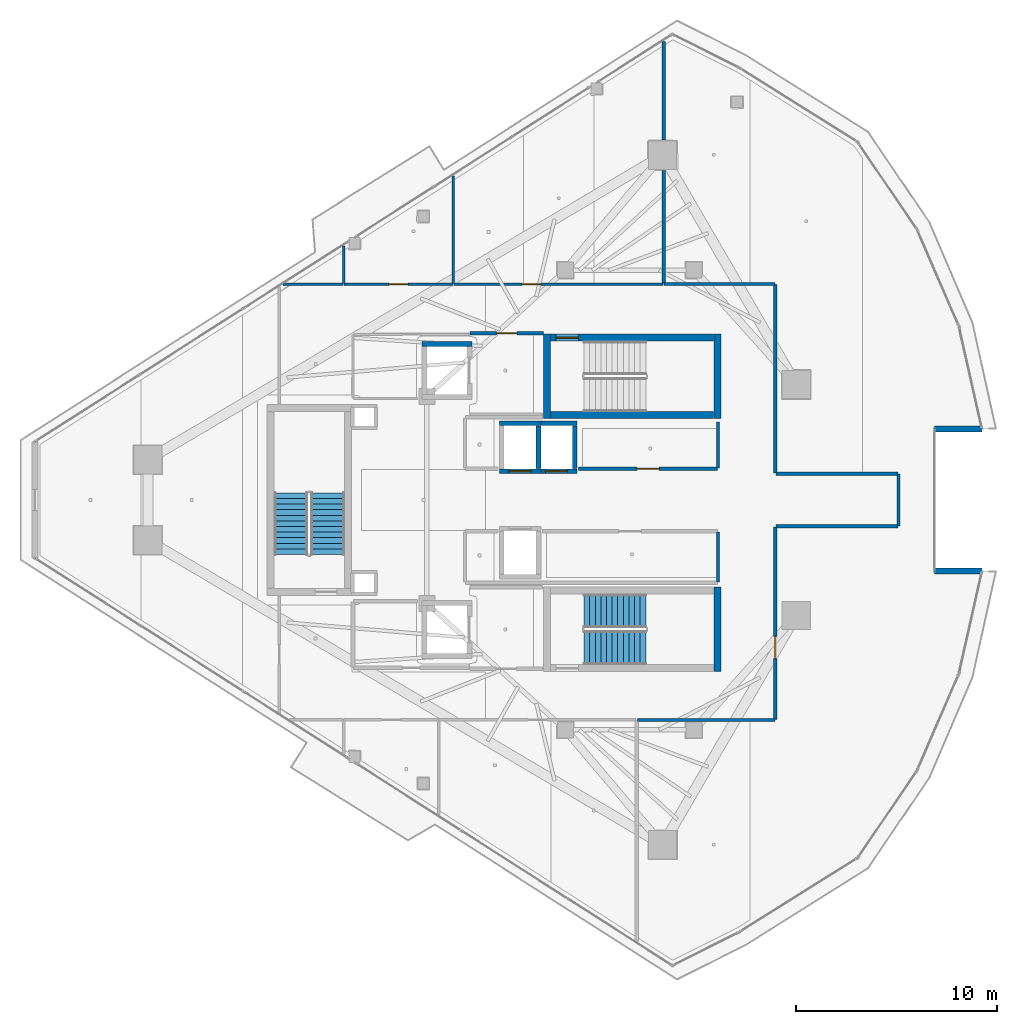
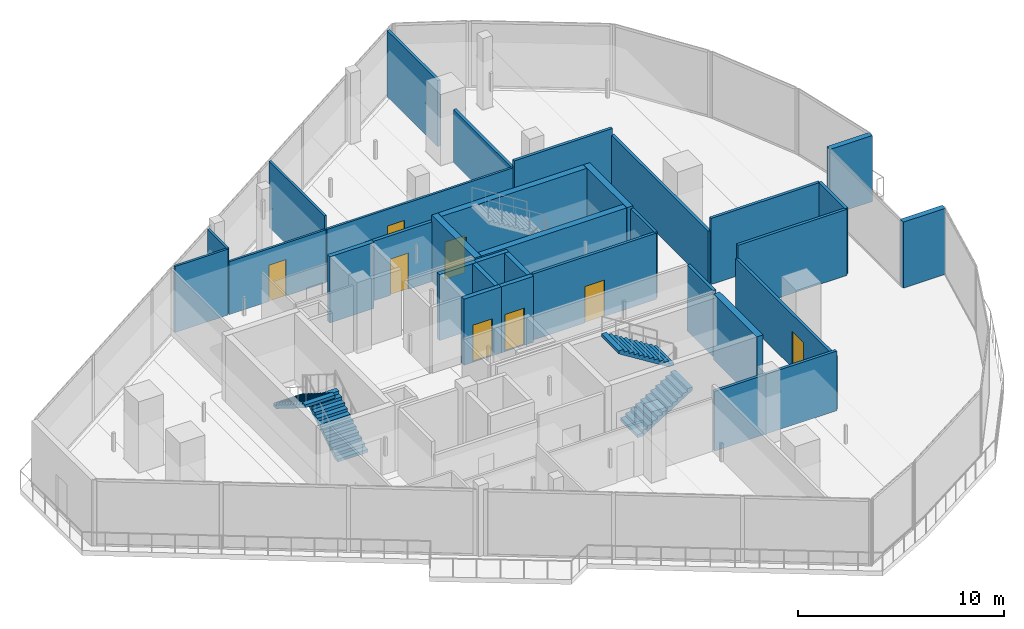
# One storey, part 21 of 27: 32 walls, 8 doors, 4 stair flights, 8 openings, 2 elements without a shape of their own.
"""IFC4 building model written with IfcOpenShell, lengths in metres."""

from ifc_helpers import new_model, si_unit, direction, frame, frame_2d, origin, place, context, subcontext, project, spatial, polyline, rectangle, outline, extrude, material, layer, layer_set, type_object, element, fill, aggregate, save


model = new_model("IFC4")

# Units and contexts
model_context = context("Model", 3, precision=1e-05, world=origin(), true_north=direction((0.0, 1.0)))
body_context = subcontext(model_context, "Body", "Model", "MODEL_VIEW")
ifc_project = project(units=[si_unit("LENGTHUNIT", "METRE"), si_unit("AREAUNIT", "SQUARE_METRE"), si_unit("VOLUMEUNIT", "CUBIC_METRE"), si_unit("PLANEANGLEUNIT", "RADIAN"), si_unit("MASSUNIT", "GRAM", prefix="KILO")], contexts=[model_context])

# Site, building, storey
site_placement = place(None, origin())
site = spatial("IfcSite", under=ifc_project, at=site_placement, CompositionType="ELEMENT")
building_placement = place(site_placement, origin())
building = spatial("IfcBuilding", under=site, at=building_placement, Name="Qorvath Tower", CompositionType="ELEMENT")
storey_placement = place(building_placement, frame((0.0, 0.0, 293.39990234375)))
storey = spatial("IfcBuildingStorey", under=building, at=storey_placement, Name="L68", CompositionType="ELEMENT", Elevation=293.39990234375)

# Wall, opening, door
ifc_material_1 = material(Name="Gypsum shaftliner on steel studs", Category="steel")
ifc_layer_1 = layer(ifc_material_1, 0.179931640625)
ifc_layer_set_1 = layer_set([ifc_layer_1], Name="FW-LOBBY")
wall_type_1 = type_object("IfcWallType", Name="FW-LOBBY", PredefinedType="PARTITIONING", material=ifc_layer_set_1)
wall_1_placement = place(storey_placement, frame((-24.68408203125, 8.300048828125, 0.0), z_axis=(0.0, 0.0, 1.0), x_axis=(-1.0, 0.0, 0.0)))
wall_1 = element("IfcWall", 1, at=wall_1_placement, inside=storey, type_object=wall_type_1, Name="Interior Partition IW-T1-L68-002", PredefinedType="PARTITIONING", context=body_context, shape_type="SweptSolid", body=[
    extrude(rectangle(XDim=3.6708984375, YDim=0.179931640625, at=frame_2d((1.83544921875, 0.0))), origin(), (0.0, 0.0, 1.0), 3.529052734375),
])
opening_1_placement = place(wall_1_placement, frame((1.33544921875, 0.0, 0.0)))
opening_1 = element("IfcOpeningElement", 2, at=opening_1_placement, cuts=wall_1, Name="Opening D-T1-L68-01", PredefinedType="OPENING", context=body_context, shape_type="SweptSolid", body=[
    extrude(rectangle(XDim=1.0, YDim=2.14990234375, at=frame_2d((0.5, 1.074951171875))), frame((0.0, 0.10009765625, 0.0), z_axis=(0.0, -1.0, 0.0), x_axis=(1.0, 0.0, 0.0)), (0.0, 0.0, 1.0), 0.199951171875),
])
ifc_material_2 = material(Name="Painted galvanised hollow metal", Category="steel")
door_type_1 = type_object("IfcDoorType", Name="FD-60", OperationType="NOTDEFINED", PredefinedType="DOOR", material=ifc_material_2)
door_1_placement = place(opening_1_placement, origin())
door_1 = element("IfcDoor", 3, at=door_1_placement, inside=storey, type_object=door_type_1, Name="Lobby Fire Service Elevator North Door D-T1-L68-01", OperationType="SINGLE_SWING_RIGHT", OverallHeight=2.14990234375, OverallWidth=1.0, PredefinedType="DOOR", context=body_context, shape_type="SweptSolid", body=[
    extrude(rectangle(XDim=1.0, YDim=2.14990234375, at=frame_2d((0.5, 1.074951171875))), frame((0.0, 0.02490234375, 0.0), z_axis=(0.0, -1.0, 0.0), x_axis=(1.0, 0.0, 0.0)), (0.0, 0.0, 1.0), 0.050048828125),
])
fill(opening_1, door_1)

ifc_material_3 = material(Name="Double acoustic gypsum board on steel studs", Category="steel")
ifc_layer_2 = layer(ifc_material_3, 0.159912109375)
ifc_layer_set_2 = layer_set([ifc_layer_2], Name="IW-ACOUSTIC-160")
wall_type_2 = type_object("IfcWallType", Name="IW-ACOUSTIC-160", PredefinedType="PARTITIONING", material=ifc_layer_set_2)
wall_2_placement = place(storey_placement, frame((-22.933837890625, 1.56005859375, 0.0), z_axis=(0.0, 0.0, 1.0), x_axis=(1.0, 0.0, 0.0)))
wall_2 = element("IfcWall", 4, at=wall_2_placement, inside=storey, type_object=wall_type_2, Name="Interior Partition IW-T1-L68-010", PredefinedType="PARTITIONING", context=body_context, shape_type="SweptSolid", body=[
    extrude(rectangle(XDim=6.908935546875, YDim=0.159912109375, at=frame_2d((3.45458984375, 0.0))), origin(), (0.0, 0.0, 1.0), 3.91015625),
])
opening_2_placement = place(wall_2_placement, frame((2.904541015625, 0.0, 0.0)))
opening_2 = element("IfcOpeningElement", 5, at=opening_2_placement, cuts=wall_2, Name="Opening D-T1-L68-04", PredefinedType="OPENING", context=body_context, shape_type="SweptSolid", body=[
    extrude(rectangle(XDim=1.10009765625, YDim=2.14990234375, at=frame_2d((0.550048828125, 1.074951171875))), frame((0.0, 0.08984375, 0.0), z_axis=(0.0, -1.0, 0.0), x_axis=(1.0, 0.0, 0.0)), (0.0, 0.0, 1.0), 0.179931640625),
])
ifc_material_4 = material(Name="Anodised aluminium acoustic framed glass", Category="aluminium")
door_type_2 = type_object("IfcDoorType", Name="D-03", OperationType="NOTDEFINED", PredefinedType="DOOR", material=ifc_material_4)
door_2_placement = place(opening_2_placement, origin())
door_2 = element("IfcDoor", 6, at=door_2_placement, inside=storey, type_object=door_type_2, Name="L68-RCN North Executive Boardroom Door D-T1-L68-04", OperationType="SINGLE_SWING_LEFT", OverallHeight=2.14990234375, OverallWidth=1.10009765625, PredefinedType="DOOR", context=body_context, shape_type="SweptSolid", body=[
    extrude(rectangle(XDim=1.10009765625, YDim=2.14990234375, at=frame_2d((0.550048828125, 1.074951171875))), frame((0.0, 0.02490234375, 0.0), z_axis=(0.0, -1.0, 0.0), x_axis=(1.0, 0.0, 0.0)), (0.0, 0.0, 1.0), 0.050048828125),
])
fill(opening_2, door_2)

# Walls
wall_3_placement = place(storey_placement, frame((-16.0, 1.585205078125, 0.0), z_axis=(0.0, 0.0, 1.0), x_axis=(0.0, 1.0, 0.0)))
element("IfcWall", 7, at=wall_3_placement, inside=storey, type_object=wall_type_2, Name="Interior Partition IW-T1-L68-011", PredefinedType="PARTITIONING", context=body_context, shape_type="SweptSolid", body=[
    extrude(rectangle(XDim=2.30224609375, YDim=0.159912109375, at=frame_2d((1.151123046875, 0.0))), origin(), (0.0, 0.0, 1.0), 3.91015625),
])
wall_4_placement = place(storey_placement, frame((-16.0, -4.09521484375, 0.0), z_axis=(0.0, 0.0, 1.0), x_axis=(0.0, 1.0, 0.0)))
element("IfcWall", 8, at=wall_4_placement, inside=storey, type_object=wall_type_2, Name="Interior Partition IW-T1-L68-015", PredefinedType="PARTITIONING", context=body_context, shape_type="SweptSolid", body=[
    extrude(rectangle(XDim=2.510009765625, YDim=0.159912109375, at=frame_2d((1.2548828125, 0.0))), origin(), (0.0, 0.0, 1.0), 3.91015625),
])
wall_5_placement = place(storey_placement, frame((-18.69873046875, 22.844970703125, 0.0), z_axis=(0.0, 0.0, 1.0), x_axis=(4.9780964e-05, -0.999999998761, 0.0)))
element("IfcWall", 9, at=wall_5_placement, inside=storey, type_object=wall_type_2, Name="Interior Partition IW-T1-L68-027", PredefinedType="PARTITIONING", context=body_context, shape_type="SweptSolid", body=[
    extrude(rectangle(XDim=4.904296875, YDim=0.159912109375, at=frame_2d((2.4521484375, 0.0))), origin(), (0.0, 0.0, 1.0), 3.91015625),
])
wall_6_placement = place(storey_placement, frame((-18.698486328125, 16.41064453125, 0.0), z_axis=(0.0, 0.0, 1.0), x_axis=(-4.3383948e-05, -0.999999999059, 0.0)))
element("IfcWall", 10, at=wall_6_placement, inside=storey, type_object=wall_type_2, Name="Interior Partition IW-T1-L68-028", PredefinedType="PARTITIONING", context=body_context, shape_type="SweptSolid", body=[
    extrude(rectangle(XDim=5.62744140625, YDim=0.159912109375, at=frame_2d((2.813720703125, 0.0))), origin(), (0.0, 0.0, 1.0), 3.130126953125),
])
wall_7_placement = place(storey_placement, frame((-13.1669921875, 10.758056640625, 0.0), z_axis=(0.0, 0.0, 1.0), x_axis=(-1.0, 0.0, 0.0)))
element("IfcWall", 11, at=wall_7_placement, inside=storey, type_object=wall_type_2, Name="Interior Partition IW-T1-L68-029", PredefinedType="PARTITIONING", context=body_context, shape_type="SweptSolid", body=[
    extrude(rectangle(XDim=5.506591796875, YDim=0.159912109375, at=frame_2d((2.75341796875, 0.0))), origin(), (0.0, 0.0, 1.0), 3.529052734375),
])
wall_8_placement = place(storey_placement, frame((-13.14208984375, 10.733154296875, 0.0), z_axis=(0.0, 0.0, 1.0), x_axis=(0.0, -1.0, 0.0)))
element("IfcWall", 12, at=wall_8_placement, inside=storey, type_object=wall_type_2, Name="Interior Partition IW-T1-L68-030", PredefinedType="PARTITIONING", context=body_context, shape_type="SweptSolid", body=[
    extrude(rectangle(XDim=9.400146484375, YDim=0.159912109375, at=frame_2d((4.7001953125, 0.0))), origin(), (0.0, 0.0, 1.0), 3.130126953125),
])
wall_9_placement = place(storey_placement, frame((-7.023193359375, 1.30810546875, 0.0), z_axis=(0.0, 0.0, 1.0), x_axis=(-1.0, 0.0, 0.0)))
element("IfcWall", 13, at=wall_9_placement, inside=storey, type_object=wall_type_2, Name="Interior Partition IW-T1-L68-031", PredefinedType="PARTITIONING", context=body_context, shape_type="SweptSolid", body=[
    extrude(rectangle(XDim=6.093994140625, YDim=0.159912109375, at=frame_2d((3.046875, 0.0))), origin(), (0.0, 0.0, 1.0), 3.91015625),
])
wall_10_placement = place(storey_placement, frame((-6.998291015625, -1.283203125, 0.0), z_axis=(0.0, 0.0, 1.0), x_axis=(0.0, 1.0, 0.0)))
element("IfcWall", 14, at=wall_10_placement, inside=storey, type_object=wall_type_2, Name="Interior Partition IW-T1-L68-032", PredefinedType="PARTITIONING", context=body_context, shape_type="SweptSolid", body=[
    extrude(rectangle(XDim=2.56640625, YDim=0.159912109375, at=frame_2d((1.283203125, 0.0))), origin(), (0.0, 0.0, 1.0), 3.91015625),
])
wall_11_placement = place(storey_placement, frame((-13.1171875, -1.30810546875, 0.0), z_axis=(0.0, 0.0, 1.0), x_axis=(1.0, 0.0, 0.0)))
element("IfcWall", 15, at=wall_11_placement, inside=storey, type_object=wall_type_2, Name="Interior Partition IW-T1-L68-033", PredefinedType="PARTITIONING", context=body_context, shape_type="SweptSolid", body=[
    extrude(rectangle(XDim=6.093994140625, YDim=0.159912109375, at=frame_2d((3.046875, 0.0))), origin(), (0.0, 0.0, 1.0), 3.91015625),
])

# Wall, opening, door
wall_12_placement = place(storey_placement, frame((-13.14208984375, -1.3330078125, 0.0), z_axis=(0.0, 0.0, 1.0), x_axis=(0.0, -1.0, 0.0)))
wall_12 = element("IfcWall", 16, at=wall_12_placement, inside=storey, type_object=wall_type_2, Name="Interior Partition IW-T1-L68-034", PredefinedType="PARTITIONING", context=body_context, shape_type="SweptSolid", body=[
    extrude(rectangle(XDim=9.60009765625, YDim=0.159912109375, at=frame_2d((4.800048828125, 0.0))), origin(), (0.0, 0.0, 1.0), 3.130126953125),
])
opening_3_placement = place(wall_12_placement, frame((5.46435546875, 0.0, 0.0)))
opening_3 = element("IfcOpeningElement", 17, at=opening_3_placement, cuts=wall_12, Name="Opening D-T1-L68-08", PredefinedType="OPENING", context=body_context, shape_type="SweptSolid", body=[
    extrude(rectangle(XDim=1.10009765625, YDim=2.14990234375, at=frame_2d((0.550048828125, 1.074951171875))), frame((0.0, 0.08984375, 0.0), z_axis=(0.0, -1.0, 0.0), x_axis=(1.0, 0.0, 0.0)), (0.0, 0.0, 1.0), 0.179931640625),
])
door_3_placement = place(opening_3_placement, origin())
door_3 = element("IfcDoor", 18, at=door_3_placement, inside=storey, type_object=door_type_2, Name="L68-02 Enclosed Conference Suite Door D-T1-L68-08", OperationType="SINGLE_SWING_LEFT", OverallHeight=2.14990234375, OverallWidth=1.10009765625, PredefinedType="DOOR", context=body_context, shape_type="SweptSolid", body=[
    extrude(rectangle(XDim=1.10009765625, YDim=2.14990234375, at=frame_2d((0.550048828125, 1.074951171875))), frame((0.0, 0.02490234375, 0.0), z_axis=(0.0, -1.0, 0.0), x_axis=(1.0, 0.0, 0.0)), (0.0, 0.0, 1.0), 0.050048828125),
])
fill(opening_3, door_3)

# Walls
wall_13_placement = place(storey_placement, frame((-20.014892578125, -10.9580078125, 0.0), z_axis=(0.0, 0.0, 1.0), x_axis=(1.0, 0.0, 0.0)))
element("IfcWall", 19, at=wall_13_placement, inside=storey, type_object=wall_type_2, Name="Interior Partition IW-T1-L68-035", PredefinedType="PARTITIONING", context=body_context, shape_type="SweptSolid", body=[
    extrude(rectangle(XDim=6.847900390625, YDim=0.159912109375, at=frame_2d((3.423828125, 0.0))), origin(), (0.0, 0.0, 1.0), 3.529052734375),
])
ifc_material_5 = material(Name="Gypsum board on metal studs with mineral wool", Category="gypsum")
ifc_layer_3 = layer(ifc_material_5, 0.125)
ifc_layer_set_3 = layer_set([ifc_layer_3], Name="IW-PART-125")
wall_type_3 = type_object("IfcWallType", Name="IW-PART-125", PredefinedType="PARTITIONING", material=ifc_layer_set_3)
wall_14_placement = place(storey_placement, frame((-34.6748046875, 10.758056640625, 0.0), z_axis=(0.0, 0.0, 1.0), x_axis=(-1.0, 0.0, 0.0)))
element("IfcWall", 20, at=wall_14_placement, inside=storey, type_object=wall_type_3, Name="Interior Partition IW-T1-L68-025", PredefinedType="PARTITIONING", context=body_context, shape_type="SweptSolid", body=[
    extrude(rectangle(XDim=2.98046875, YDim=0.125, at=frame_2d((1.490234375, 0.0))), origin(), (0.0, 0.0, 1.0), 3.91015625),
])
wall_15_placement = place(storey_placement, frame((-34.64990234375, 10.783203125, 0.0), z_axis=(0.0, 0.0, 1.0), x_axis=(0.0, 1.0, 0.0)))
element("IfcWall", 21, at=wall_15_placement, inside=storey, type_object=wall_type_3, Name="Interior Partition IW-T1-L68-026", PredefinedType="PARTITIONING", context=body_context, shape_type="SweptSolid", body=[
    extrude(rectangle(XDim=1.866943359375, YDim=0.125, at=frame_2d((0.93359375, 0.0))), origin(), (0.0, 0.0, 1.0), 3.91015625),
])

# Wall, opening, door
wall_16_placement = place(storey_placement, frame((-34.6171875, 10.758056640625, 0.0), z_axis=(0.0, 0.0, 1.0), x_axis=(1.0, 0.0, 0.0)))
wall_16 = element("IfcWall", 22, at=wall_16_placement, inside=storey, type_object=wall_type_3, Name="Interior Partition IW-T1-L68-037", PredefinedType="PARTITIONING", context=body_context, shape_type="SweptSolid", body=[
    extrude(rectangle(XDim=5.408935546875, YDim=0.125, at=frame_2d((2.70458984375, 0.0))), origin(), (0.0, 0.0, 1.0), 3.130126953125),
])
opening_4_placement = place(wall_16_placement, frame((2.2294921875, 0.0, 0.0)))
opening_4 = element("IfcOpeningElement", 23, at=opening_4_placement, cuts=wall_16, Name="Opening D-T1-L68-09", PredefinedType="OPENING", context=body_context, shape_type="SweptSolid", body=[
    extrude(rectangle(XDim=0.949951171875, YDim=2.14990234375, at=frame_2d((0.47509765625, 1.074951171875))), frame((0.0, 0.072509765625, 0.0), z_axis=(0.0, -1.0, 0.0), x_axis=(1.0, 0.0, 0.0)), (0.0, 0.0, 1.0), 0.14501953125),
])
ifc_material_6 = material(Name="Solid-core American white oak veneer", Category="wood")
door_type_3 = type_object("IfcDoorType", Name="D-01", OperationType="NOTDEFINED", PredefinedType="DOOR", material=ifc_material_6)
door_4_placement = place(opening_4_placement, origin())
door_4 = element("IfcDoor", 24, at=door_4_placement, inside=storey, type_object=door_type_3, Name="L68-03 Executive Partner Office Door D-T1-L68-09", OperationType="SINGLE_SWING_RIGHT", OverallHeight=2.14990234375, OverallWidth=0.949951171875, PredefinedType="DOOR", context=body_context, shape_type="SweptSolid", body=[
    extrude(rectangle(XDim=0.949951171875, YDim=2.14990234375, at=frame_2d((0.47509765625, 1.074951171875))), frame((0.0, 0.02490234375, 0.0), z_axis=(0.0, -1.0, 0.0), x_axis=(1.0, 0.0, 0.0)), (0.0, 0.0, 1.0), 0.050048828125),
])
fill(opening_4, door_4)

# Wall
wall_17_placement = place(storey_placement, frame((-29.183349609375, 10.783203125, 0.0), z_axis=(0.0, 0.0, 1.0), x_axis=(0.0, 1.0, 0.0)))
element("IfcWall", 25, at=wall_17_placement, inside=storey, type_object=wall_type_3, Name="Interior Partition IW-T1-L68-038", PredefinedType="PARTITIONING", context=body_context, shape_type="SweptSolid", body=[
    extrude(rectangle(XDim=5.36083984375, YDim=0.125, at=frame_2d((2.680419921875, 0.0))), origin(), (0.0, 0.0, 1.0), 3.91015625),
])

# Wall, opening, door
wall_18_placement = place(storey_placement, frame((-29.150390625, 10.758056640625, 0.0), z_axis=(0.0, 0.0, 1.0), x_axis=(1.0, 0.0, 0.0)))
wall_18 = element("IfcWall", 26, at=wall_18_placement, inside=storey, type_object=wall_type_3, Name="Interior Partition IW-T1-L68-039", PredefinedType="PARTITIONING", context=body_context, shape_type="SweptSolid", body=[
    extrude(rectangle(XDim=10.4189453125, YDim=0.125, at=frame_2d((5.20947265625, 0.0))), origin(), (0.0, 0.0, 1.0), 3.130126953125),
])
opening_5_placement = place(wall_18_placement, frame((3.3818359375, 0.0, 0.0)))
opening_5 = element("IfcOpeningElement", 27, at=opening_5_placement, cuts=wall_18, Name="Opening D-T1-L68-10", PredefinedType="OPENING", context=body_context, shape_type="SweptSolid", body=[
    extrude(rectangle(XDim=0.949951171875, YDim=2.14990234375, at=frame_2d((0.47509765625, 1.074951171875))), frame((0.0, 0.072509765625, 0.0), z_axis=(0.0, -1.0, 0.0), x_axis=(1.0, 0.0, 0.0)), (0.0, 0.0, 1.0), 0.14501953125),
])
door_5_placement = place(opening_5_placement, origin())
door_5 = element("IfcDoor", 28, at=door_5_placement, inside=storey, type_object=door_type_3, Name="L68-04 Executive Partner Office Door D-T1-L68-10", OperationType="SINGLE_SWING_LEFT", OverallHeight=2.14990234375, OverallWidth=0.949951171875, PredefinedType="DOOR", context=body_context, shape_type="SweptSolid", body=[
    extrude(rectangle(XDim=0.949951171875, YDim=2.14990234375, at=frame_2d((0.47509765625, 1.074951171875))), frame((0.0, 0.02490234375, 0.0), z_axis=(0.0, -1.0, 0.0), x_axis=(1.0, 0.0, 0.0)), (0.0, 0.0, 1.0), 0.050048828125),
])
fill(opening_5, door_5)

# Wall
ifc_material_7 = material(Name="Concrete C60/75", Category="concrete")
ifc_layer_4 = layer(ifc_material_7, 0.260009765625)
ifc_layer_set_4 = layer_set([ifc_layer_4], Name="SW-SHAFT")
wall_type_4 = type_object("IfcWallType", Name="SW-SHAFT", PredefinedType="SHEAR", material=ifc_layer_set_4)
wall_19_placement = place(storey_placement, frame((-30.739990234375, 7.77001953125, 0.0), z_axis=(0.0, 0.0, 1.0), x_axis=(1.0, 0.0, 0.0)))
element("IfcWall", 29, at=wall_19_placement, inside=storey, type_object=wall_type_4, Name="Hoistway Wall FSAE-1 L68 N", PredefinedType="SHEAR", context=body_context, shape_type="SweptSolid", body=[
    extrude(rectangle(XDim=2.47998046875, YDim=0.239990234375, at=frame_2d((1.239990234375, 0.0))), origin(), (0.0, 0.0, 1.0), 3.91015625),
])

# Wall, opening, door
wall_20_placement = place(storey_placement, frame((-24.81005859375, 1.429931640625, 0.0), z_axis=(0.0, 0.0, 1.0), x_axis=(-1.0, 0.0, 0.0)))
wall_20 = element("IfcWall", 30, at=wall_20_placement, inside=storey, type_object=wall_type_4, Name="Hoistway Wall PH-1 L68 S", PredefinedType="SHEAR", context=body_context, shape_type="SweptSolid", body=[
    extrude(rectangle(XDim=2.079833984375, YDim=0.239990234375, at=frame_2d((1.0400390625, 0.0))), origin(), (0.0, 0.0, 1.0), 3.91015625),
])
opening_6_placement = place(wall_20_placement, frame((0.489990234375, 0.0, 0.0)))
opening_6 = element("IfcOpeningElement", 31, at=opening_6_placement, cuts=wall_20, Name="Opening LD-PH-1-L68", PredefinedType="OPENING", context=body_context, shape_type="SweptSolid", body=[
    extrude(rectangle(XDim=1.10009765625, YDim=2.199951171875, at=frame_2d((0.550048828125, 1.10009765625))), frame((0.0, 0.1298828125, 0.0), z_axis=(0.0, -1.0, 0.0), x_axis=(1.0, 0.0, 0.0)), (0.0, 0.0, 1.0), 0.260009765625),
])
ifc_material_8 = material(Name="Brushed stainless steel AISI 316", Category="steel")
door_type_4 = type_object("IfcDoorType", Name="LD-01", OperationType="NOTDEFINED", PredefinedType="DOOR", material=ifc_material_8)
door_6_placement = place(opening_6_placement, origin())
door_6 = element("IfcDoor", 32, at=door_6_placement, inside=storey, type_object=door_type_4, Name="Elevator Landing Sliding Door LD-PH-1-L68", OperationType="DOUBLE_DOOR_SLIDING", OverallHeight=2.199951171875, OverallWidth=1.10009765625, PredefinedType="DOOR", context=body_context, shape_type="SweptSolid", body=[
    extrude(rectangle(XDim=1.10009765625, YDim=2.199951171875, at=frame_2d((0.550048828125, 1.10009765625))), frame((0.0, 0.02490234375, 0.0), z_axis=(0.0, -1.0, 0.0), x_axis=(1.0, 0.0, 0.0)), (0.0, 0.0, 1.0), 0.050048828125),
])
fill(opening_6, door_6)

# Walls
wall_21_placement = place(storey_placement, frame((-26.889892578125, 3.820068359375, 0.0), z_axis=(0.0, 0.0, 1.0), x_axis=(1.0, 0.0, 0.0)))
element("IfcWall", 33, at=wall_21_placement, inside=storey, type_object=wall_type_4, Name="Hoistway Wall PH-1 L68 N", PredefinedType="SHEAR", context=body_context, shape_type="SweptSolid", body=[
    extrude(rectangle(XDim=2.079833984375, YDim=0.239990234375, at=frame_2d((1.0400390625, 0.0))), origin(), (0.0, 0.0, 1.0), 3.91015625),
])
wall_22_placement = place(storey_placement, frame((-24.929931640625, 3.68798828125, 0.0), z_axis=(0.0, 0.0, 1.0), x_axis=(0.0, -1.0, 0.0)))
element("IfcWall", 34, at=wall_22_placement, inside=storey, type_object=wall_type_4, Name="Hoistway Wall PH-1 L68 E", PredefinedType="SHEAR", context=body_context, shape_type="SweptSolid", body=[
    extrude(rectangle(XDim=2.1259765625, YDim=0.239990234375, at=frame_2d((1.06298828125, 0.0))), origin(), (0.0, 0.0, 1.0), 3.91015625),
])

# Wall, opening, door
wall_23_placement = place(storey_placement, frame((-23.010009765625, 1.429931640625, 0.0), z_axis=(0.0, 0.0, 1.0), x_axis=(-1.0, 0.0, 0.0)))
wall_23 = element("IfcWall", 35, at=wall_23_placement, inside=storey, type_object=wall_type_4, Name="Hoistway Wall PH-2 L68 S", PredefinedType="SHEAR", context=body_context, shape_type="SweptSolid", body=[
    extrude(rectangle(XDim=1.800048828125, YDim=0.239990234375, at=frame_2d((0.89990234375, 0.0))), origin(), (0.0, 0.0, 1.0), 3.91015625),
])
opening_7_placement = place(wall_23_placement, frame((0.489990234375, 0.0, 0.0)))
opening_7 = element("IfcOpeningElement", 36, at=opening_7_placement, cuts=wall_23, Name="Opening LD-PH-2-L68", PredefinedType="OPENING", context=body_context, shape_type="SweptSolid", body=[
    extrude(rectangle(XDim=1.10009765625, YDim=2.199951171875, at=frame_2d((0.550048828125, 1.10009765625))), frame((0.0, 0.1298828125, 0.0), z_axis=(0.0, -1.0, 0.0), x_axis=(1.0, 0.0, 0.0)), (0.0, 0.0, 1.0), 0.260009765625),
])
door_7_placement = place(opening_7_placement, origin())
door_7 = element("IfcDoor", 37, at=door_7_placement, inside=storey, type_object=door_type_4, Name="Elevator Landing Sliding Door LD-PH-2-L68", OperationType="DOUBLE_DOOR_SLIDING", OverallHeight=2.199951171875, OverallWidth=1.10009765625, PredefinedType="DOOR", context=body_context, shape_type="SweptSolid", body=[
    extrude(rectangle(XDim=1.10009765625, YDim=2.199951171875, at=frame_2d((0.550048828125, 1.10009765625))), frame((0.0, 0.02490234375, 0.0), z_axis=(0.0, -1.0, 0.0), x_axis=(1.0, 0.0, 0.0)), (0.0, 0.0, 1.0), 0.050048828125),
])
fill(opening_7, door_7)

# Walls
wall_24_placement = place(storey_placement, frame((-24.81005859375, 3.820068359375, 0.0), z_axis=(0.0, 0.0, 1.0), x_axis=(1.0, 0.0, 0.0)))
element("IfcWall", 38, at=wall_24_placement, inside=storey, type_object=wall_type_4, Name="Hoistway Wall PH-2 L68 N", PredefinedType="SHEAR", context=body_context, shape_type="SweptSolid", body=[
    extrude(rectangle(XDim=1.800048828125, YDim=0.239990234375, at=frame_2d((0.89990234375, 0.0))), origin(), (0.0, 0.0, 1.0), 3.91015625),
])
wall_25_placement = place(storey_placement, frame((-23.1298828125, 3.68798828125, 0.0), z_axis=(0.0, 0.0, 1.0), x_axis=(0.0, -1.0, 0.0)))
element("IfcWall", 39, at=wall_25_placement, inside=storey, type_object=wall_type_4, Name="Hoistway Wall PH-2 L68 E", PredefinedType="SHEAR", context=body_context, shape_type="SweptSolid", body=[
    extrude(rectangle(XDim=2.1259765625, YDim=0.239990234375, at=frame_2d((1.06298828125, 0.0))), origin(), (0.0, 0.0, 1.0), 3.91015625),
])
ifc_material_9 = material(Name="Concrete C60/75", Category="concrete")
ifc_layer_5 = layer(ifc_material_9, 0.35009765625)
ifc_layer_set_5 = layer_set([ifc_layer_5], Name="SW-STAIR")
wall_type_5 = type_object("IfcWallType", Name="SW-STAIR", PredefinedType="SHEAR", material=ifc_layer_set_5)
for number, where, z_axis, x_axis, name in (
    (40, (-24.52490234375, 8.260009765625, 0.0), (0.0, 0.0, 1.0), (0.0, -1.0, 0.0), "Stair TS1 Shear Wall L68 NEAR"),
    (41, (-16.02490234375, 4.050048828125, 0.0), (0.0, 0.0, 1.0), (0.0, 1.0, 0.0), "Stair TS1 Shear Wall L68 FAR"),
):
    element("IfcWall", number, at=place(storey_placement, frame(where, z_axis=z_axis, x_axis=x_axis)), inside=storey, type_object=wall_type_5, Name=name, PredefinedType="SHEAR", context=body_context, shape_type="SweptSolid", body=[
        extrude(rectangle(XDim=4.2099609375, YDim=0.35009765625, at=frame_2d((2.10498046875, 0.0))), origin(), (0.0, 0.0, 1.0), 3.91015625),
    ])
wall_26_placement = place(storey_placement, frame((-24.3349609375, 4.22509765625, 0.0), z_axis=(0.0, 0.0, 1.0), x_axis=(1.0, 0.0, 0.0)))
element("IfcWall", 42, at=wall_26_placement, inside=storey, type_object=wall_type_5, Name="Stair TS1 Shear Wall L68 LEFT", PredefinedType="SHEAR", context=body_context, shape_type="SweptSolid", body=[
    extrude(rectangle(XDim=8.119873046875, YDim=0.35009765625, at=frame_2d((4.06005859375, 0.0))), origin(), (0.0, 0.0, 1.0), 3.91015625),
])

# Wall, opening, door
wall_27_placement = place(storey_placement, frame((-16.215087890625, 8.0849609375, 0.0), z_axis=(0.0, 0.0, 1.0), x_axis=(-1.0, 0.0, 0.0)))
wall_27 = element("IfcWall", 43, at=wall_27_placement, inside=storey, type_object=wall_type_5, Name="Stair TS1 Shear Wall L68 RIGHT", PredefinedType="SHEAR", context=body_context, shape_type="SweptSolid", body=[
    extrude(rectangle(XDim=8.119873046875, YDim=0.35009765625, at=frame_2d((4.06005859375, 0.0))), origin(), (0.0, 0.0, 1.0), 3.91015625),
])
opening_8_placement = place(wall_27_placement, frame((6.739990234375, 0.0, 0.0)))
opening_8 = element("IfcOpeningElement", 44, at=opening_8_placement, cuts=wall_27, Name="Opening D-TS1-L68", PredefinedType="OPENING", context=body_context, shape_type="SweptSolid", body=[
    extrude(rectangle(XDim=1.10009765625, YDim=2.199951171875, at=frame_2d((0.550048828125, 1.10009765625))), frame((0.0, 0.18505859375, 0.0), z_axis=(0.0, -1.0, 0.0), x_axis=(1.0, 0.0, 0.0)), (0.0, 0.0, 1.0), 0.3701171875),
])
ifc_material_10 = material(Name="Painted galvanised hollow metal", Category="steel")
door_type_5 = type_object("IfcDoorType", Name="FD-90", OperationType="NOTDEFINED", PredefinedType="DOOR", material=ifc_material_10)
door_8_placement = place(opening_8_placement, origin())
door_8 = element("IfcDoor", 45, at=door_8_placement, inside=storey, type_object=door_type_5, Name="Stair TS1 Fire Door L68", OperationType="SINGLE_SWING_LEFT", OverallHeight=2.199951171875, OverallWidth=1.10009765625, PredefinedType="DOOR", context=body_context, shape_type="SweptSolid", body=[
    extrude(rectangle(XDim=1.10009765625, YDim=2.199951171875, at=frame_2d((0.550048828125, 1.10009765625))), frame((0.0, 0.02490234375, 0.0), z_axis=(0.0, -1.0, 0.0), x_axis=(1.0, 0.0, 0.0)), (0.0, 0.0, 1.0), 0.050048828125),
])
fill(opening_8, door_8)

# Walls
wall_28_placement = place(storey_placement, frame((-16.02490234375, -8.550048828125, 0.0), z_axis=(0.0, 0.0, 1.0), x_axis=(0.0, 1.0, 0.0)))
element("IfcWall", 46, at=wall_28_placement, inside=storey, type_object=wall_type_5, Name="Stair TS2 Shear Wall L68 FAR", PredefinedType="SHEAR", context=body_context, shape_type="SweptSolid", body=[
    extrude(rectangle(XDim=4.2099609375, YDim=0.35009765625, at=frame_2d((2.10498046875, 0.0))), origin(), (0.0, 0.0, 1.0), 3.91015625),
])
ifc_material_11 = material(Name="Precast concrete C45/55", Category="concrete")
ifc_layer_6 = layer(ifc_material_11, 0.300048828125)
ifc_layer_set_6 = layer_set([ifc_layer_6], Name="WL-EW-LOG-300")
wall_type_6 = type_object("IfcWallType", Name="WL-EW-LOG-300", PredefinedType="SOLIDWALL", material=ifc_layer_set_6)
for number, where, z_axis, x_axis, name in (
    (47, (-2.841064453125, -3.5478515625, 0.0), (0.0, 0.0, 1.0), (-1.0, 0.0, 0.0), "Tower Precast Loggia Wall L68-8.1"),
    (48, (-5.206298828125, 3.5478515625, 0.0), (0.0, 0.0, 1.0), (1.0, 0.0, 0.0), "Tower Precast Loggia Wall L68-10.1"),
):
    element("IfcWall", number, at=place(storey_placement, frame(where, z_axis=z_axis, x_axis=x_axis)), inside=storey, type_object=wall_type_6, Name=name, PredefinedType="SOLIDWALL", context=body_context, shape_type="SweptSolid", body=[
        extrude(rectangle(XDim=2.365234375, YDim=0.300048828125, at=frame_2d((1.1826171875, 0.0))), origin(), (0.0, 0.0, 1.0), 3.91015625),
    ])

# Stair, stair flights
ifc_material_12 = material(Name="Concrete C50/60", Category="concrete")
stair_type = type_object("IfcStairType", Name="ST-H420", PredefinedType="HALF_TURN_STAIR", material=ifc_material_12)
stair_1_placement = place(storey_placement, origin())
stair_1 = element("IfcStair", 49, at=stair_1_placement, inside=storey, type_object=stair_type, Name="L68 Tower Exit Stair 2", PredefinedType="HALF_TURN_STAIR")
ifc_material_13 = material(Name="Concrete C50/60", Category="concrete")
ifc_layer_7 = layer(ifc_material_13, 0.14990234375)
ifc_layer_set_7 = layer_set([ifc_layer_7], Name="SF-H420")
stair_flight_type = type_object("IfcStairFlightType", Name="SF-H420", PredefinedType="STRAIGHT", material=ifc_layer_set_7)
stair_flight_1_placement = place(storey_placement, frame((-22.669921875, -7.360107421875, 0.0), z_axis=(0.0, 0.0, 1.0), x_axis=(1.0, 0.0, 0.0)))
stair_flight_1 = element("IfcStairFlight", 50, at=stair_flight_1_placement, type_object=stair_flight_type, Name="TS2 flight 1", NumberOfRisers=12, NumberOfTreads=11, PredefinedType="STRAIGHT", RiserHeight=0.175, TreadLength=0.28, context=body_context, shape_type="SweptSolid", body=[
    extrude(outline(polyline([(0.0, 0.0), (0.0, 0.175048828125), (0.280029296875, 0.175048828125), (0.280029296875, 0.35009765625), (0.56005859375, 0.35009765625), (0.56005859375, 0.52490234375), (0.840087890625, 0.52490234375), (0.840087890625, 0.699951171875), (1.1201171875, 0.699951171875), (1.1201171875, 0.875), (1.39990234375, 0.875), (1.39990234375, 1.050048828125), (1.679931640625, 1.050048828125), (1.679931640625, 1.22509765625), (1.9599609375, 1.22509765625), (1.9599609375, 1.39990234375), (2.239990234375, 1.39990234375), (2.239990234375, 1.574951171875), (2.52001953125, 1.574951171875), (2.52001953125, 1.75), (2.800048828125, 1.75), (2.800048828125, 1.925048828125), (3.080078125, 1.925048828125), (3.080078125, 2.10009765625), (3.080078125, 1.748291015625), (0.28271484375, 0.0), (0.0, 0.0)])), frame((0.0, 0.83984375, 0.0), z_axis=(0.0, -1.0, 0.0), x_axis=(1.0, 0.0, 0.0)), (0.0, 0.0, 1.0), 1.679931640625),
])
stair_flight_2_placement = place(storey_placement, frame((-19.590087890625, -5.530029296875, 2.10009765625), z_axis=(0.0, 0.0, 1.0), x_axis=(-1.0, 0.0, 0.0)))
stair_flight_2 = element("IfcStairFlight", 51, at=stair_flight_2_placement, type_object=stair_flight_type, Name="TS2 flight 2", NumberOfRisers=12, NumberOfTreads=11, PredefinedType="STRAIGHT", RiserHeight=0.175, TreadLength=0.28, context=body_context, shape_type="SweptSolid", body=[
    extrude(outline(polyline([(0.0, 0.0), (0.0, 0.175048828125), (0.280029296875, 0.175048828125), (0.280029296875, 0.35009765625), (0.56005859375, 0.35009765625), (0.56005859375, 0.52490234375), (0.840087890625, 0.52490234375), (0.840087890625, 0.699951171875), (1.1201171875, 0.699951171875), (1.1201171875, 0.875), (1.39990234375, 0.875), (1.39990234375, 1.050048828125), (1.679931640625, 1.050048828125), (1.679931640625, 1.22509765625), (1.9599609375, 1.22509765625), (1.9599609375, 1.39990234375), (2.239990234375, 1.39990234375), (2.239990234375, 1.574951171875), (2.52001953125, 1.574951171875), (2.52001953125, 1.75), (2.800048828125, 1.75), (2.800048828125, 1.925048828125), (3.080078125, 1.925048828125), (3.080078125, 2.10009765625), (3.080078125, 1.748291015625), (0.28271484375, 0.0), (0.0, 0.0)])), frame((0.0, 0.83984375, 0.0), z_axis=(0.0, -1.0, 0.0), x_axis=(1.0, 0.0, 0.0)), (0.0, 0.0, 1.0), 1.679931640625),
])
aggregate(stair_1, [stair_flight_1, stair_flight_2])

stair_2_placement = place(storey_placement, origin())
stair_2 = element("IfcStair", 52, at=stair_2_placement, inside=storey, type_object=stair_type, Name="L68 Tower Exit Stair 3", PredefinedType="HALF_TURN_STAIR")
stair_flight_3_placement = place(storey_placement, frame((-35.43994140625, -2.719970703125, 0.0), z_axis=(0.0, 0.0, 1.0), x_axis=(0.0, 1.0, 0.0)))
stair_flight_3 = element("IfcStairFlight", 53, at=stair_flight_3_placement, type_object=stair_flight_type, Name="TS3 flight 1", NumberOfRisers=12, NumberOfTreads=11, PredefinedType="STRAIGHT", RiserHeight=0.175, TreadLength=0.28, context=body_context, shape_type="SweptSolid", body=[
    extrude(outline(polyline([(0.0, 0.0), (0.0, 0.175048828125), (0.280029296875, 0.175048828125), (0.280029296875, 0.35009765625), (0.56005859375, 0.35009765625), (0.56005859375, 0.52490234375), (0.840087890625, 0.52490234375), (0.840087890625, 0.699951171875), (1.1201171875, 0.699951171875), (1.1201171875, 0.875), (1.39990234375, 0.875), (1.39990234375, 1.050048828125), (1.679931640625, 1.050048828125), (1.679931640625, 1.22509765625), (1.9599609375, 1.22509765625), (1.9599609375, 1.39990234375), (2.239990234375, 1.39990234375), (2.239990234375, 1.574951171875), (2.52001953125, 1.574951171875), (2.52001953125, 1.75), (2.800048828125, 1.75), (2.800048828125, 1.925048828125), (3.080078125, 1.925048828125), (3.080078125, 2.10009765625), (3.080078125, 1.748291015625), (0.28271484375, 0.0), (0.0, 0.0)])), frame((0.0, 0.83984375, 0.0), z_axis=(0.0, -1.0, 0.0), x_axis=(1.0, 0.0, 0.0)), (0.0, 0.0, 1.0), 1.679931640625),
])
stair_flight_4_placement = place(storey_placement, frame((-37.27001953125, 0.360107421875, 2.10009765625), z_axis=(0.0, 0.0, 1.0), x_axis=(0.0, -1.0, 0.0)))
stair_flight_4 = element("IfcStairFlight", 54, at=stair_flight_4_placement, type_object=stair_flight_type, Name="TS3 flight 2", NumberOfRisers=12, NumberOfTreads=11, PredefinedType="STRAIGHT", RiserHeight=0.175, TreadLength=0.28, context=body_context, shape_type="SweptSolid", body=[
    extrude(outline(polyline([(0.0, 0.0), (0.0, 0.175048828125), (0.280029296875, 0.175048828125), (0.280029296875, 0.35009765625), (0.56005859375, 0.35009765625), (0.56005859375, 0.52490234375), (0.840087890625, 0.52490234375), (0.840087890625, 0.699951171875), (1.1201171875, 0.699951171875), (1.1201171875, 0.875), (1.39990234375, 0.875), (1.39990234375, 1.050048828125), (1.679931640625, 1.050048828125), (1.679931640625, 1.22509765625), (1.9599609375, 1.22509765625), (1.9599609375, 1.39990234375), (2.239990234375, 1.39990234375), (2.239990234375, 1.574951171875), (2.52001953125, 1.574951171875), (2.52001953125, 1.75), (2.800048828125, 1.75), (2.800048828125, 1.925048828125), (3.080078125, 1.925048828125), (3.080078125, 2.10009765625), (3.080078125, 1.748291015625), (0.28271484375, 0.0), (0.0, 0.0)])), frame((0.0, 0.83984375, 0.0), z_axis=(0.0, -1.0, 0.0), x_axis=(1.0, 0.0, 0.0)), (0.0, 0.0, 1.0), 1.679931640625),
])
aggregate(stair_2, [stair_flight_3, stair_flight_4])

save(model, "model.ifc")
